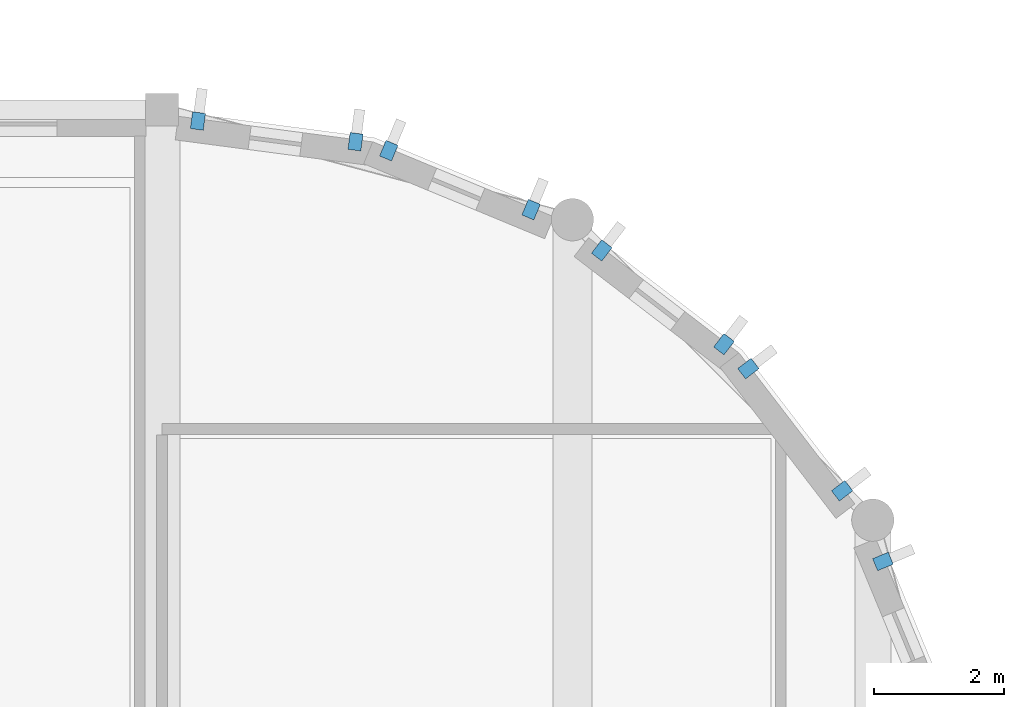
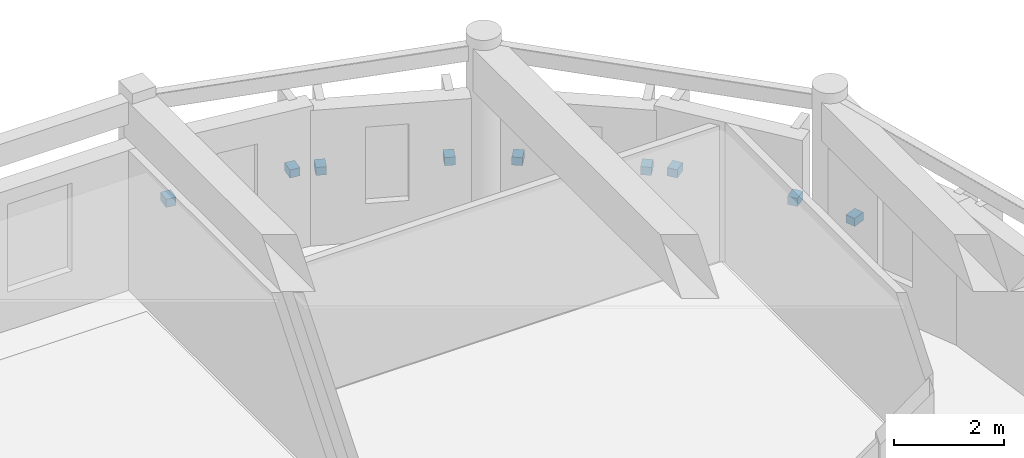
# One storey, part 8 of 12: 9 discrete accessories.
"""IFC4 building model written with IfcOpenShell, lengths in metres."""

import ifcopenshell
import ifcopenshell.guid

model = None  # the IFC model being written
_history = None  # IfcOwnerHistory: only IFC2X3 demands one
_inside = {}  # id of a spatial element -> (the spatial element, [elements in it])
_under = {}  # id of a project, library or spatial element -> (it, [spatial elements below it])
_declared = {}  # id of a project -> (the project, [libraries it declares])
_typed = {}  # id of a type object -> (the type object, [elements of that type])
_made_of = {}  # id of a material, layer set ... -> (it, [elements and type objects made of it])


def new_model(schema):
    """Start an empty IFC model of exactly this schema.

    Asked for "IFC4X3", IfcOpenShell would pick the latest addendum, in which some entities
    have other attributes; the version numbers below select the first issue.
    IFC2X3 requires an IfcOwnerHistory on every rooted entity: one is made here for all.
    """
    global model, _history
    if schema == "IFC4X3":
        model = ifcopenshell.file(schema_version=(4, 3, 0, 0))
    else:
        model = ifcopenshell.file(schema=schema)
    _inside.clear()
    _under.clear()
    _declared.clear()
    _typed.clear()
    _made_of.clear()
    _history = None
    if model.schema == "IFC2X3":
        org = make("IfcOrganization", Name="unknown")
        user = make(
            "IfcPersonAndOrganization",
            ThePerson=make("IfcPerson", FamilyName="unknown"),
            TheOrganization=org,
        )
        app = make(
            "IfcApplication",
            ApplicationDeveloper=org,
            Version="unknown",
            ApplicationFullName="unknown",
            ApplicationIdentifier="unknown",
        )
        _history = make(
            "IfcOwnerHistory",
            OwningUser=user,
            OwningApplication=app,
            ChangeAction="ADDED",
            CreationDate=0,
        )
    return model


def make(cls, **values):
    """One entity of the class cls with the attributes given. An attribute that is None is left unset."""
    return model.create_entity(
        cls, **{name: value for name, value in values.items() if value is not None}
    )


def rooted(cls, **values):
    """An entity with a GlobalId (a new one), such as an element, a storey or a relation."""
    return make(cls, GlobalId=ifcopenshell.guid.new(), OwnerHistory=_history, **values)


def si_unit(unit_type, name, prefix=None):
    """IfcSIUnit, for example si_unit("LENGTHUNIT", "METRE", prefix="MILLI")."""
    return make("IfcSIUnit", UnitType=unit_type, Prefix=prefix, Name=name)


def assignment(units):
    """IfcUnitAssignment: the units of a project."""
    return None if units is None else make("IfcUnitAssignment", Units=units)


def point(xyz):
    """IfcCartesianPoint."""
    return None if xyz is None else make("IfcCartesianPoint", Coordinates=xyz)


def direction(xyz):
    """IfcDirection."""
    return None if xyz is None else make("IfcDirection", DirectionRatios=xyz)


def frame(location, z_axis=None, x_axis=None):
    """IfcAxis2Placement3D, a coordinate frame: its origin and axes. An axis left out is left unset."""
    return make(
        "IfcAxis2Placement3D",
        Location=point(location),
        Axis=direction(z_axis),
        RefDirection=direction(x_axis),
    )


def frame_2d(location, x_axis=None):
    """IfcAxis2Placement2D, a coordinate frame in the plane: its origin and x axis."""
    return make(
        "IfcAxis2Placement2D", Location=point(location), RefDirection=direction(x_axis)
    )


def origin():
    """The frame at (0, 0, 0) with its axes left unset."""
    return frame((0.0, 0.0, 0.0))


def origin_2d():
    """The frame at (0, 0) in the plane with its x axis left unset."""
    return frame_2d((0.0, 0.0))


def place(relative_to, where):
    """IfcLocalPlacement: puts the frame where relative to a parent placement (None: the world)."""
    return make(
        "IfcLocalPlacement", PlacementRelTo=relative_to, RelativePlacement=where
    )


def context(
    kind, dimensions, precision=None, world=None, true_north=None, identifier=None
):
    """IfcGeometricRepresentationContext, for example the 3D "Model" context."""
    return make(
        "IfcGeometricRepresentationContext",
        ContextIdentifier=identifier,
        ContextType=kind,
        CoordinateSpaceDimension=dimensions,
        Precision=precision,
        WorldCoordinateSystem=world,
        TrueNorth=true_north,
    )


def subcontext(parent, identifier, kind, view, scale=None):
    """IfcGeometricRepresentationSubContext, for example "Body" below "Model"."""
    return make(
        "IfcGeometricRepresentationSubContext",
        ContextIdentifier=identifier,
        ContextType=kind,
        ParentContext=parent,
        TargetScale=scale,
        TargetView=view,
    )


def project(units=None, contexts=None):
    """IfcProject with its units and contexts."""
    return rooted(
        "IfcProject",
        Name="project",
        RepresentationContexts=contexts,
        UnitsInContext=assignment(units),
    )


def spatial(cls, under=None, at=None, **own):
    """A site, building, storey or space (cls), placed at a placement, below another one or the project."""
    s = rooted(cls, ObjectPlacement=at, **own)
    if under is not None:
        _under.setdefault(under.id(), (under, []))[1].append(s)
    return s


def profile(cls, at=None, kind="AREA", **sizes):
    """A parametric profile (cls). Its sizes go by their IFC names, for example OverallWidth=200.0."""
    return make(cls, ProfileType=kind, Position=at, **sizes)


def rectangle(**sizes):
    """IfcRectangleProfileDef."""
    return profile("IfcRectangleProfileDef", **sizes)


def extrude(swept, where, along, depth):
    """IfcExtrudedAreaSolid: the profile swept, set in the frame where, extruded along a direction by depth."""
    return make(
        "IfcExtrudedAreaSolid",
        SweptArea=swept,
        Position=where,
        ExtrudedDirection=direction(along),
        Depth=depth,
    )


def shape(context_of_items, identifier, shape_type, items):
    """IfcShapeRepresentation: the items that make up one representation, for example the "Body"."""
    return make(
        "IfcShapeRepresentation",
        ContextOfItems=context_of_items,
        RepresentationIdentifier=identifier,
        RepresentationType=shape_type,
        Items=items,
    )


def material(Name=None, Category=None):
    """IfcMaterial."""
    return make("IfcMaterial", Name=Name, Category=Category)


def made_of(thing, what):
    """Note that an element or type object is made of a material, layer set ...; save() writes the relation."""
    if what is not None:
        _made_of.setdefault(what.id(), (what, []))[1].append(thing)
    return thing


def type_object(cls, material=None, **own):
    """A type object (cls), such as IfcWallType, which elements share."""
    return made_of(rooted(cls, **own), material)


def element(
    cls,
    number,
    at=None,
    inside=None,
    cuts=None,
    type_object=None,
    material=None,
    context=None,
    identifier="Body",
    shape_type=None,
    held_by="IfcProductDefinitionShape",
    body=None,
    shapes=None,
    **own,
):
    """One element of the class cls, such as IfcWall. Its Tag is "e" and its number.

    at: its placement. inside: the storey or other place that contains it. cuts: it is an
    opening in that element (IfcRelVoidsElement). A single representation is given by context,
    identifier, shape_type and body (its items); several are given by shapes. held_by: the class
    of the entity that holds the representations. save() writes the other relations.
    """
    e = rooted(cls, Tag="e%d" % number, ObjectPlacement=at, **own)
    if body is not None:
        shapes = [shape(context, identifier, shape_type, body)]
    if shapes is not None:
        e.Representation = make(held_by, Representations=shapes)
    if inside is not None:
        _inside.setdefault(inside.id(), (inside, []))[1].append(e)
    if cuts is not None:
        rooted(
            "IfcRelVoidsElement", RelatingBuildingElement=cuts, RelatedOpeningElement=e
        )
    if type_object is not None:
        _typed.setdefault(type_object.id(), (type_object, []))[1].append(e)
    return made_of(e, material)


def aggregate(whole, parts):
    """IfcRelAggregates: a whole, such as a stair, and the parts it consists of."""
    return rooted("IfcRelAggregates", RelatingObject=whole, RelatedObjects=parts)


def save(model, path):
    """Write the relations noted so far, then the file.

    IfcRelAggregates (storeys below a building ...), IfcRelContainedInSpatialStructure (elements
    in a storey), IfcRelDefinesByType, IfcRelAssociatesMaterial and IfcRelDeclares: one each for
    every whole, place, type object, material and project.
    """
    for whole, parts in _under.values():
        aggregate(whole, parts)
    for where, things in _inside.values():
        rooted(
            "IfcRelContainedInSpatialStructure",
            RelatedElements=things,
            RelatingStructure=where,
        )
    for kind, things in _typed.values():
        rooted("IfcRelDefinesByType", RelatedObjects=things, RelatingType=kind)
    for what, things in _made_of.values():
        rooted("IfcRelAssociatesMaterial", RelatedObjects=things, RelatingMaterial=what)
    for by, libraries in _declared.values():
        rooted("IfcRelDeclares", RelatingContext=by, RelatedDefinitions=libraries)
    model.write(path)


model = new_model("IFC4")

# Units and contexts
model_context = context("Model", 3, precision=1e-05, world=origin(), true_north=direction((0.0, 1.0)))
body_context = subcontext(model_context, "Body", "Model", "MODEL_VIEW")
ifc_project = project(units=[si_unit("LENGTHUNIT", "METRE"), si_unit("AREAUNIT", "SQUARE_METRE"), si_unit("VOLUMEUNIT", "CUBIC_METRE"), si_unit("PLANEANGLEUNIT", "RADIAN"), si_unit("MASSUNIT", "GRAM", prefix="KILO")], contexts=[model_context])

# Site, building, storey
site_placement = place(None, origin())
site = spatial("IfcSite", under=ifc_project, at=site_placement, CompositionType="ELEMENT")
building_placement = place(site_placement, origin())
building = spatial("IfcBuilding", under=site, at=building_placement, Name="Tarnavel Promenade Courthouse", CompositionType="ELEMENT")
storey_placement = place(building_placement, frame((0.0, 0.0, 27.0)))
storey = spatial("IfcBuildingStorey", under=building, at=storey_placement, Name="L07", CompositionType="ELEMENT", Elevation=27.0)

# Discrete accessories
ifc_material = material(Name="Steel S355J2", Category="steel")
discrete_accessory_type = type_object("IfcDiscreteAccessoryType", Name="Steel S355J2 Facade Pier Anchor Bracket", PredefinedType="BRACKET", material=ifc_material)
for number, where, z_axis, x_axis, name in (
    (1, (113.06640625, 97.4658203125, 1.46484375), (0.0, 0.0, 1.0), (-0.382683432365, 0.923879532511, 0.0), "L07 Drum Pier Bracket 0262"),
    (2, (112.43994140625, 98.55078125, 1.46484375), (0.0, 0.0, 1.0), (-0.608761429009, 0.793353340291, 0.0), "L07 Drum Pier Bracket 0263"),
    (3, (111.000732421875, 100.426513671875, 1.46484375), (0.0, 0.0, 1.0), (-0.608761429009, 0.793353340291, 0.0), "L07 Drum Pier Bracket 0264"),
    (4, (110.62646484375, 100.80078125, 1.4150390625), (0.0, 0.0, 1.0), (-0.793353340291, 0.608761429009, 0.0), "L07 Drum Pier Bracket 0265"),
    (5, (108.750732421875, 102.239990234375, 1.4150390625), (0.0, 0.0, 1.0), (-0.793353340291, 0.608761429009, 0.0), "L07 Drum Pier Bracket 0266"),
    (6, (107.665771484375, 102.866455078125, 1.4150390625), (0.0, 0.0, 1.0), (-0.923879532511, 0.382683432365, 0.0), "L07 Drum Pier Bracket 0267"),
    (7, (105.4814453125, 103.77099609375, 1.4150390625), (0.0, 0.0, 1.0), (-0.923879532511, 0.382683432365, 0.0), "L07 Drum Pier Bracket 0268"),
    (8, (104.970458984375, 103.908203125, 1.46484375), (0.0, 0.0, 1.0), (-0.991444861374, 0.13052619222, 0.0), "L07 Drum Pier Bracket 0269"),
    (9, (102.552001953125, 104.2265625, 1.46484375), (0.0, 0.0, 1.0), (-0.991444861374, 0.13052619222, 0.0), "L07 Drum Pier Bracket 0270"),
):
    element("IfcDiscreteAccessory", number, at=place(storey_placement, frame(where, z_axis=z_axis, x_axis=x_axis)), inside=storey, type_object=discrete_accessory_type, Name=name, PredefinedType="BRACKET", context=body_context, shape_type="SweptSolid", body=[
        extrude(rectangle(XDim=0.199951171875, YDim=0.260009765625, at=origin_2d()), origin(), (0.0, 0.0, 1.0), 0.179931640625),
    ])

save(model, "model.ifc")
